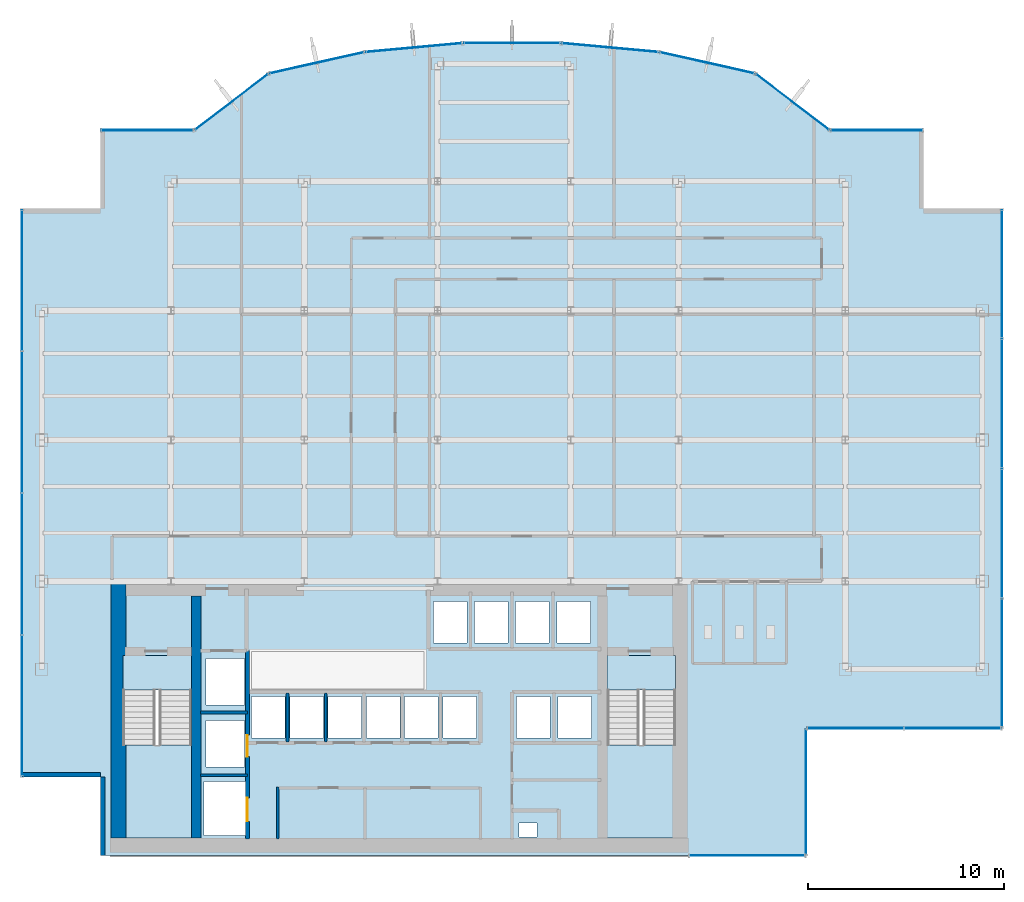
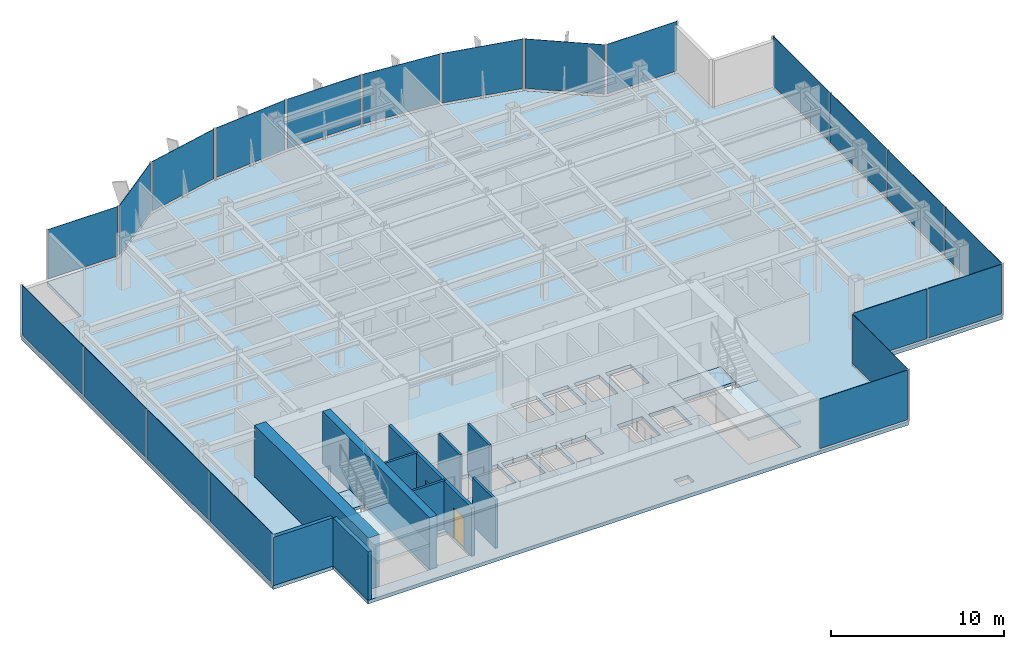
# One storey, part 19 of 25: 21 plates, 10 walls, 5 slabs, 2 doors, 2 openings, 16 elements without a shape of their own.
"""IFC4 building model written with IfcOpenShell, lengths in metres."""

import ifcopenshell
import ifcopenshell.guid

model = None  # the IFC model being written
_history = None  # IfcOwnerHistory: only IFC2X3 demands one
_inside = {}  # id of a spatial element -> (the spatial element, [elements in it])
_under = {}  # id of a project, library or spatial element -> (it, [spatial elements below it])
_declared = {}  # id of a project -> (the project, [libraries it declares])
_typed = {}  # id of a type object -> (the type object, [elements of that type])
_made_of = {}  # id of a material, layer set ... -> (it, [elements and type objects made of it])


def new_model(schema):
    """Start an empty IFC model of exactly this schema.

    Asked for "IFC4X3", IfcOpenShell would pick the latest addendum, in which some entities
    have other attributes; the version numbers below select the first issue.
    IFC2X3 requires an IfcOwnerHistory on every rooted entity: one is made here for all.
    """
    global model, _history
    if schema == "IFC4X3":
        model = ifcopenshell.file(schema_version=(4, 3, 0, 0))
    else:
        model = ifcopenshell.file(schema=schema)
    _inside.clear()
    _under.clear()
    _declared.clear()
    _typed.clear()
    _made_of.clear()
    _history = None
    if model.schema == "IFC2X3":
        org = make("IfcOrganization", Name="unknown")
        user = make(
            "IfcPersonAndOrganization",
            ThePerson=make("IfcPerson", FamilyName="unknown"),
            TheOrganization=org,
        )
        app = make(
            "IfcApplication",
            ApplicationDeveloper=org,
            Version="unknown",
            ApplicationFullName="unknown",
            ApplicationIdentifier="unknown",
        )
        _history = make(
            "IfcOwnerHistory",
            OwningUser=user,
            OwningApplication=app,
            ChangeAction="ADDED",
            CreationDate=0,
        )
    return model


def make(cls, **values):
    """One entity of the class cls with the attributes given. An attribute that is None is left unset."""
    return model.create_entity(
        cls, **{name: value for name, value in values.items() if value is not None}
    )


def rooted(cls, **values):
    """An entity with a GlobalId (a new one), such as an element, a storey or a relation."""
    return make(cls, GlobalId=ifcopenshell.guid.new(), OwnerHistory=_history, **values)


def si_unit(unit_type, name, prefix=None):
    """IfcSIUnit, for example si_unit("LENGTHUNIT", "METRE", prefix="MILLI")."""
    return make("IfcSIUnit", UnitType=unit_type, Prefix=prefix, Name=name)


def derived_unit(unit_type, elements):
    """IfcDerivedUnit: a product of units, each with its exponent."""
    return make(
        "IfcDerivedUnit",
        Elements=[
            make("IfcDerivedUnitElement", Unit=unit, Exponent=power)
            for unit, power in elements
        ],
        UnitType=unit_type,
    )


def assignment(units):
    """IfcUnitAssignment: the units of a project."""
    return None if units is None else make("IfcUnitAssignment", Units=units)


def point(xyz):
    """IfcCartesianPoint."""
    return None if xyz is None else make("IfcCartesianPoint", Coordinates=xyz)


def direction(xyz):
    """IfcDirection."""
    return None if xyz is None else make("IfcDirection", DirectionRatios=xyz)


def frame(location, z_axis=None, x_axis=None):
    """IfcAxis2Placement3D, a coordinate frame: its origin and axes. An axis left out is left unset."""
    return make(
        "IfcAxis2Placement3D",
        Location=point(location),
        Axis=direction(z_axis),
        RefDirection=direction(x_axis),
    )


def frame_2d(location, x_axis=None):
    """IfcAxis2Placement2D, a coordinate frame in the plane: its origin and x axis."""
    return make(
        "IfcAxis2Placement2D", Location=point(location), RefDirection=direction(x_axis)
    )


def origin():
    """The frame at (0, 0, 0) with its axes left unset."""
    return frame((0.0, 0.0, 0.0))


def origin_2d():
    """The frame at (0, 0) in the plane with its x axis left unset."""
    return frame_2d((0.0, 0.0))


def place(relative_to, where):
    """IfcLocalPlacement: puts the frame where relative to a parent placement (None: the world)."""
    return make(
        "IfcLocalPlacement", PlacementRelTo=relative_to, RelativePlacement=where
    )


def context(
    kind, dimensions, precision=None, world=None, true_north=None, identifier=None
):
    """IfcGeometricRepresentationContext, for example the 3D "Model" context."""
    return make(
        "IfcGeometricRepresentationContext",
        ContextIdentifier=identifier,
        ContextType=kind,
        CoordinateSpaceDimension=dimensions,
        Precision=precision,
        WorldCoordinateSystem=world,
        TrueNorth=true_north,
    )


def subcontext(parent, identifier, kind, view, scale=None):
    """IfcGeometricRepresentationSubContext, for example "Body" below "Model"."""
    return make(
        "IfcGeometricRepresentationSubContext",
        ContextIdentifier=identifier,
        ContextType=kind,
        ParentContext=parent,
        TargetScale=scale,
        TargetView=view,
    )


def project(units=None, contexts=None):
    """IfcProject with its units and contexts."""
    return rooted(
        "IfcProject",
        Name="project",
        RepresentationContexts=contexts,
        UnitsInContext=assignment(units),
    )


def spatial(cls, under=None, at=None, **own):
    """A site, building, storey or space (cls), placed at a placement, below another one or the project."""
    s = rooted(cls, ObjectPlacement=at, **own)
    if under is not None:
        _under.setdefault(under.id(), (under, []))[1].append(s)
    return s


def polyline(points):
    """IfcPolyline through the points."""
    return make("IfcPolyline", Points=[point(p) for p in points])


def profile(cls, at=None, kind="AREA", **sizes):
    """A parametric profile (cls). Its sizes go by their IFC names, for example OverallWidth=200.0."""
    return make(cls, ProfileType=kind, Position=at, **sizes)


def rectangle(**sizes):
    """IfcRectangleProfileDef."""
    return profile("IfcRectangleProfileDef", **sizes)


def outline(outer, holes=None, kind="AREA"):
    """IfcArbitraryClosedProfileDef: a profile drawn as a closed curve; with holes, ...WithVoids."""
    if holes is None:
        return make("IfcArbitraryClosedProfileDef", ProfileType=kind, OuterCurve=outer)
    return make(
        "IfcArbitraryProfileDefWithVoids",
        ProfileType=kind,
        OuterCurve=outer,
        InnerCurves=holes,
    )


def extrude(swept, where, along, depth):
    """IfcExtrudedAreaSolid: the profile swept, set in the frame where, extruded along a direction by depth."""
    return make(
        "IfcExtrudedAreaSolid",
        SweptArea=swept,
        Position=where,
        ExtrudedDirection=direction(along),
        Depth=depth,
    )


def shape(context_of_items, identifier, shape_type, items):
    """IfcShapeRepresentation: the items that make up one representation, for example the "Body"."""
    return make(
        "IfcShapeRepresentation",
        ContextOfItems=context_of_items,
        RepresentationIdentifier=identifier,
        RepresentationType=shape_type,
        Items=items,
    )


def source(mapping_origin, context_of_items, identifier, shape_type, items):
    """IfcRepresentationMap: a shape defined once, which mapped items show again and again."""
    return make(
        "IfcRepresentationMap",
        MappingOrigin=mapping_origin,
        MappedRepresentation=shape(context_of_items, identifier, shape_type, items),
    )


def transform(
    local_origin,
    x_axis=None,
    y_axis=None,
    z_axis=None,
    scale=None,
    scale2=None,
    scale3=None,
    uniform=True,
):
    """IfcCartesianTransformationOperator3D, or its non-uniform kind. x_axis, y_axis, z_axis: its Axis1, 2, 3."""
    if uniform:
        return make(
            "IfcCartesianTransformationOperator3D",
            Axis1=direction(x_axis),
            Axis2=direction(y_axis),
            LocalOrigin=point(local_origin),
            Scale=scale,
            Axis3=direction(z_axis),
        )
    return make(
        "IfcCartesianTransformationOperator3DnonUniform",
        Axis1=direction(x_axis),
        Axis2=direction(y_axis),
        LocalOrigin=point(local_origin),
        Scale=scale,
        Axis3=direction(z_axis),
        Scale2=scale2,
        Scale3=scale3,
    )


def mapped(mapping_source, mapping_target):
    """IfcMappedItem: shows the shape of a source again, moved by a transform."""
    return make(
        "IfcMappedItem", MappingSource=mapping_source, MappingTarget=mapping_target
    )


def material(Name=None, Category=None):
    """IfcMaterial."""
    return make("IfcMaterial", Name=Name, Category=Category)


def layer(
    of_material, thickness, ventilated=None, Name=None, Category=None, Priority=None
):
    """IfcMaterialLayer: one layer of a wall or slab, of a material (None: an air gap)."""
    return make(
        "IfcMaterialLayer",
        Material=of_material,
        LayerThickness=thickness,
        IsVentilated=ventilated,
        Name=Name,
        Category=Category,
        Priority=Priority,
    )


def layer_set(layers, Name=None):
    """IfcMaterialLayerSet."""
    return make("IfcMaterialLayerSet", MaterialLayers=layers, LayerSetName=Name)


def made_of(thing, what):
    """Note that an element or type object is made of a material, layer set ...; save() writes the relation."""
    if what is not None:
        _made_of.setdefault(what.id(), (what, []))[1].append(thing)
    return thing


def type_object(cls, material=None, **own):
    """A type object (cls), such as IfcWallType, which elements share."""
    return made_of(rooted(cls, **own), material)


def element(
    cls,
    number,
    at=None,
    inside=None,
    cuts=None,
    type_object=None,
    material=None,
    context=None,
    identifier="Body",
    shape_type=None,
    held_by="IfcProductDefinitionShape",
    body=None,
    shapes=None,
    **own,
):
    """One element of the class cls, such as IfcWall. Its Tag is "e" and its number.

    at: its placement. inside: the storey or other place that contains it. cuts: it is an
    opening in that element (IfcRelVoidsElement). A single representation is given by context,
    identifier, shape_type and body (its items); several are given by shapes. held_by: the class
    of the entity that holds the representations. save() writes the other relations.
    """
    e = rooted(cls, Tag="e%d" % number, ObjectPlacement=at, **own)
    if body is not None:
        shapes = [shape(context, identifier, shape_type, body)]
    if shapes is not None:
        e.Representation = make(held_by, Representations=shapes)
    if inside is not None:
        _inside.setdefault(inside.id(), (inside, []))[1].append(e)
    if cuts is not None:
        rooted(
            "IfcRelVoidsElement", RelatingBuildingElement=cuts, RelatedOpeningElement=e
        )
    if type_object is not None:
        _typed.setdefault(type_object.id(), (type_object, []))[1].append(e)
    return made_of(e, material)


def fill(opening, filler):
    """IfcRelFillsElement: the door or window that sits in an opening."""
    return rooted(
        "IfcRelFillsElement",
        RelatingOpeningElement=opening,
        RelatedBuildingElement=filler,
    )


def aggregate(whole, parts):
    """IfcRelAggregates: a whole, such as a stair, and the parts it consists of."""
    return rooted("IfcRelAggregates", RelatingObject=whole, RelatedObjects=parts)


def save(model, path):
    """Write the relations noted so far, then the file.

    IfcRelAggregates (storeys below a building ...), IfcRelContainedInSpatialStructure (elements
    in a storey), IfcRelDefinesByType, IfcRelAssociatesMaterial and IfcRelDeclares: one each for
    every whole, place, type object, material and project.
    """
    for whole, parts in _under.values():
        aggregate(whole, parts)
    for where, things in _inside.values():
        rooted(
            "IfcRelContainedInSpatialStructure",
            RelatedElements=things,
            RelatingStructure=where,
        )
    for kind, things in _typed.values():
        rooted("IfcRelDefinesByType", RelatedObjects=things, RelatingType=kind)
    for what, things in _made_of.values():
        rooted("IfcRelAssociatesMaterial", RelatedObjects=things, RelatingMaterial=what)
    for by, libraries in _declared.values():
        rooted("IfcRelDeclares", RelatingContext=by, RelatedDefinitions=libraries)
    model.write(path)


model = new_model("IFC4")

# Units and contexts
model_context = context("Model", 3, precision=1e-05, world=origin(), true_north=direction((0.0, 1.0)))
body_context = subcontext(model_context, "Body", "Model", "MODEL_VIEW")
ifc_project = project(units=[si_unit("LENGTHUNIT", "METRE"), si_unit("AREAUNIT", "SQUARE_METRE"), si_unit("VOLUMEUNIT", "CUBIC_METRE"), si_unit("PLANEANGLEUNIT", "RADIAN"), si_unit("MASSUNIT", "GRAM", prefix="KILO"), derived_unit("THERMALTRANSMITTANCEUNIT", [(si_unit("POWERUNIT", "WATT"), 1), (si_unit("LENGTHUNIT", "METRE"), -2), (si_unit("THERMODYNAMICTEMPERATUREUNIT", "KELVIN"), -1)])], contexts=[model_context])

# Site, building, storey
site_placement = place(None, origin())
site = spatial("IfcSite", under=ifc_project, at=site_placement, CompositionType="ELEMENT")
building_placement = place(site_placement, origin())
building = spatial("IfcBuilding", under=site, at=building_placement, Name="Skarnbrae Concourse Arena and Tower", CompositionType="ELEMENT")
storey_placement = place(building_placement, frame((0.0, 0.0, 144.25)))
storey = spatial("IfcBuildingStorey", under=building, at=storey_placement, Name="L36", CompositionType="ELEMENT", Elevation=144.25)

# Stair, slab
ifc_material_1 = material(Name="Concrete 40 MPa (C40/50)", Category="concrete")
stair_type = type_object("IfcStairType", Name="STAIR-DOGLEG-1650", PredefinedType="HALF_TURN_STAIR", material=ifc_material_1)
stair_1_placement = place(storey_placement, origin())
stair_1 = element("IfcStair", 1, at=stair_1_placement, inside=storey, type_object=stair_type, Name="L36 Protected Exit Stair ST-1", PredefinedType="HALF_TURN_STAIR")
ifc_layer_1 = layer(ifc_material_1, 0.199951171875)
ifc_layer_set_1 = layer_set([ifc_layer_1], Name="Concrete 40 MPa (C40/50)")
slab_type_1 = type_object("IfcSlabType", Name="SLAB-LANDING-200", PredefinedType="LANDING", material=ifc_layer_set_1)
slab_1_placement = place(storey_placement, frame((0.0, 0.0, 1.625)))
slab_1 = element("IfcSlab", 2, at=slab_1_placement, type_object=slab_type_1, Name="ST-1 landing 1", PredefinedType="LANDING", context=body_context, shape_type="SweptSolid", body=[
    extrude(outline(polyline([(5.14990234375, 5.64990234375), (5.14990234375, 0.89990234375), (8.64990234375, 0.89990234375), (8.64990234375, 5.64990234375), (5.14990234375, 5.64990234375)])), origin(), (0.0, 0.0, 1.0), 0.199951171875),
])
aggregate(stair_1, [slab_1])

stair_2_placement = place(storey_placement, origin())
stair_2 = element("IfcStair", 3, at=stair_2_placement, inside=storey, type_object=stair_type, Name="L36 Protected Exit Stair ST-2", PredefinedType="HALF_TURN_STAIR")
slab_2_placement = place(storey_placement, frame((0.0, 0.0, 1.625)))
slab_2 = element("IfcSlab", 4, at=slab_2_placement, type_object=slab_type_1, Name="ST-2 landing 1", PredefinedType="LANDING", context=body_context, shape_type="SweptSolid", body=[
    extrude(outline(polyline([(29.85009765625, 5.64990234375), (29.85009765625, 0.89990234375), (33.35009765625, 0.89990234375), (33.35009765625, 5.64990234375), (29.85009765625, 5.64990234375)])), origin(), (0.0, 0.0, 1.0), 0.199951171875),
])
aggregate(stair_2, [slab_2])

# Slabs
slab_3_placement = place(storey_placement, frame((0.0, 0.0, -0.199951171875)))
element("IfcSlab", 5, at=slab_3_placement, inside=storey, type_object=slab_type_1, Name="L36 Core stair ST1 floor landing", PredefinedType="LANDING", context=body_context, shape_type="SweptSolid", body=[
    extrude(outline(polyline([(5.14990234375, 10.199951171875), (5.14990234375, 8.449951171875), (8.64990234375, 8.449951171875), (8.64990234375, 10.199951171875), (5.14990234375, 10.199951171875)])), origin(), (0.0, 0.0, 1.0), 0.199951171875),
])
slab_4_placement = place(storey_placement, frame((0.0, 0.0, -0.199951171875)))
element("IfcSlab", 6, at=slab_4_placement, inside=storey, type_object=slab_type_1, Name="L36 Core stair ST2 floor landing", PredefinedType="LANDING", context=body_context, shape_type="SweptSolid", body=[
    extrude(outline(polyline([(29.85009765625, 10.199951171875), (29.85009765625, 8.449951171875), (33.35009765625, 8.449951171875), (33.35009765625, 10.199951171875), (29.85009765625, 10.199951171875)])), origin(), (0.0, 0.0, 1.0), 0.199951171875),
])
ifc_layer_2 = layer(ifc_material_1, 0.25)
ifc_layer_set_2 = layer_set([ifc_layer_2], Name="Concrete 40 MPa (C40/50)")
slab_type_2 = type_object("IfcSlabType", Name="SLAB-TOWER-250", PredefinedType="FLOOR", material=ifc_layer_set_2)
slab_5_placement = place(storey_placement, frame((0.0, 0.0, -0.25)))
element("IfcSlab", 7, at=slab_5_placement, inside=storey, type_object=slab_type_2, Name="L36 Structural floor slab", PredefinedType="FLOOR", context=body_context, shape_type="SweptSolid", body=[
    extrude(outline(polyline([(4.0, 0.0), (40.0, 0.0), (40.0, 6.5), (50.0, 6.5), (50.0, 33.0), (46.0, 33.0), (46.0, 37.0), (41.199951171875, 37.0), (37.409423828125, 39.892578125), (32.51220703125, 40.98681640625), (27.51123046875, 41.445556640625), (22.48876953125, 41.445556640625), (17.48779296875, 40.98681640625), (12.590576171875, 39.892578125), (8.800048828125, 37.0), (4.0, 37.0), (4.0, 33.0), (0.0, 33.0), (0.0, 4.0), (4.0, 4.0), (4.0, 0.0)]), holes=[polyline([(9.294921875, 3.780029296875), (11.455078125, 3.780029296875), (11.455078125, 1.02001953125), (9.294921875, 1.02001953125), (9.294921875, 3.780029296875)]), polyline([(8.64990234375, 10.199951171875), (8.64990234375, 0.89990234375), (5.14990234375, 0.89990234375), (5.14990234375, 10.199951171875), (8.64990234375, 10.199951171875)]), polyline([(9.39501953125, 6.8798828125), (11.35498046875, 6.8798828125), (11.35498046875, 4.52001953125), (9.39501953125, 4.52001953125), (9.39501953125, 6.8798828125)]), polyline([(11.719970703125, 8.10498046875), (13.429931640625, 8.10498046875), (13.429931640625, 5.9951171875), (11.719970703125, 5.9951171875), (11.719970703125, 8.10498046875)]), polyline([(13.669921875, 8.10498046875), (15.3798828125, 8.10498046875), (15.3798828125, 5.9951171875), (13.669921875, 5.9951171875), (13.669921875, 8.10498046875)]), polyline([(15.6201171875, 8.10498046875), (17.330078125, 8.10498046875), (17.330078125, 5.9951171875), (15.6201171875, 5.9951171875), (15.6201171875, 8.10498046875)]), polyline([(17.570068359375, 8.10498046875), (19.280029296875, 8.10498046875), (19.280029296875, 5.9951171875), (17.570068359375, 5.9951171875), (17.570068359375, 8.10498046875)]), polyline([(21.22998046875, 8.10498046875), (21.22998046875, 5.9951171875), (19.52001953125, 5.9951171875), (19.52001953125, 8.10498046875), (21.22998046875, 8.10498046875)]), polyline([(11.35498046875, 10.054931640625), (11.35498046875, 7.695068359375), (9.39501953125, 7.695068359375), (9.39501953125, 10.054931640625), (11.35498046875, 10.054931640625)]), polyline([(25.35009765625, 1.669921875), (26.280029296875, 1.669921875), (26.280029296875, 0.949951171875), (25.35009765625, 0.949951171875), (25.35009765625, 1.669921875)]), polyline([(33.35009765625, 10.199951171875), (33.35009765625, 0.89990234375), (29.85009765625, 0.89990234375), (29.85009765625, 10.199951171875), (33.35009765625, 10.199951171875)]), polyline([(21.469970703125, 8.10498046875), (23.179931640625, 8.10498046875), (23.179931640625, 5.9951171875), (21.469970703125, 5.9951171875), (21.469970703125, 8.10498046875)]), polyline([(25.235107421875, 8.10498046875), (26.945068359375, 8.10498046875), (26.945068359375, 5.9951171875), (25.235107421875, 5.9951171875), (25.235107421875, 8.10498046875)]), polyline([(27.3349609375, 8.10498046875), (29.044921875, 8.10498046875), (29.044921875, 5.9951171875), (27.3349609375, 5.9951171875), (27.3349609375, 8.10498046875)]), polyline([(20.985107421875, 12.955078125), (22.695068359375, 12.955078125), (22.695068359375, 10.844970703125), (20.985107421875, 10.844970703125), (20.985107421875, 12.955078125)]), polyline([(23.0849609375, 12.955078125), (24.794921875, 12.955078125), (24.794921875, 10.844970703125), (23.0849609375, 10.844970703125), (23.0849609375, 12.955078125)]), polyline([(26.89501953125, 12.955078125), (26.89501953125, 10.844970703125), (25.18505859375, 10.844970703125), (25.18505859375, 12.955078125), (26.89501953125, 12.955078125)]), polyline([(28.9951171875, 12.955078125), (28.9951171875, 10.844970703125), (27.284912109375, 10.844970703125), (27.284912109375, 12.955078125), (28.9951171875, 12.955078125)])]), origin(), (0.0, 0.0, 1.0), 0.25),
])

# Curtain wall, plates
ifc_material_2 = material(Name="Bronze anodised aluminium 6063-T6", Category="aluminium")
curtain_wall_type = type_object("IfcCurtainWallType", Name="CW-SYS-04-MIDZONE", PredefinedType="USERDEFINED", material=ifc_material_2)
curtain_wall_1_placement = place(storey_placement, origin())
curtain_wall_1 = element("IfcCurtainWall", 8, at=curtain_wall_1_placement, inside=storey, type_object=curtain_wall_type, Name="L36 Unitised curtain wall CW-L36-E03", ObjectType="UNITISED CURTAIN WALL", PredefinedType="USERDEFINED")
ifc_material_3 = material(Name="Low-E triple insulating glass", Category="glass")
ifc_layer_3 = layer(ifc_material_3, 0.031982421875)
ifc_layer_set_3 = layer_set([ifc_layer_3], Name="Low-E triple insulating glass")
plate_type = type_object("IfcPlateType", Name="CWP-CW-04", PredefinedType="CURTAIN_PANEL", material=ifc_layer_set_3)
shared_shape_1 = source(origin(), body_context, "Body", "SweptSolid", [
    extrude(rectangle(XDim=4.887451171875, YDim=0.031982421875, at=origin_2d()), origin(), (0.0, 0.0, 1.0), 3.489990234375),
])
plate_1_placement = place(storey_placement, frame((42.518798828125, 6.5, 0.16015625), z_axis=(0.0, 0.0, 1.0), x_axis=(1.0, 0.0, 0.0)))
plate_1 = element("IfcPlate", 9, at=plate_1_placement, type_object=plate_type, Name="CW-L36-E03 Low-E Glazing Panel 1", PredefinedType="CURTAIN_PANEL", context=body_context, shape_type="MappedRepresentation", body=[
    mapped(shared_shape_1, transform((0.0, 0.0, 0.0))),
])
plate_2_placement = place(storey_placement, frame((47.481201171875, 6.5, 0.16015625), z_axis=(0.0, 0.0, 1.0), x_axis=(1.0, 0.0, 0.0)))
plate_2 = element("IfcPlate", 10, at=plate_2_placement, type_object=plate_type, Name="CW-L36-E03 Low-E Glazing Panel 2", PredefinedType="CURTAIN_PANEL", context=body_context, shape_type="MappedRepresentation", body=[
    mapped(shared_shape_1, transform((0.0, 0.0, 0.0))),
])
aggregate(curtain_wall_1, [plate_1, plate_2])

# Curtain wall, plate
curtain_wall_2_placement = place(storey_placement, origin())
curtain_wall_2 = element("IfcCurtainWall", 11, at=curtain_wall_2_placement, inside=storey, type_object=curtain_wall_type, Name="L36 Unitised curtain wall CW-L36-SE-SPINE", ObjectType="UNITISED CURTAIN WALL", PredefinedType="USERDEFINED")
shared_shape_2 = source(origin(), body_context, "Body", "SweptSolid", [
    extrude(rectangle(XDim=5.85009765625, YDim=0.031982421875, at=origin_2d()), origin(), (0.0, 0.0, 1.0), 3.489990234375),
])
plate_3_placement = place(storey_placement, frame((37.0, 0.0, 0.16015625), z_axis=(0.0, 0.0, 1.0), x_axis=(1.0, 0.0, 0.0)))
plate_3 = element("IfcPlate", 12, at=plate_3_placement, type_object=plate_type, Name="CW-L36-SE-SPINE Low-E Glazing Panel 1", PredefinedType="CURTAIN_PANEL", context=body_context, shape_type="MappedRepresentation", body=[
    mapped(shared_shape_2, transform((0.0, 0.0, 0.0))),
])
aggregate(curtain_wall_2, [plate_3])

curtain_wall_3_placement = place(storey_placement, origin())
curtain_wall_3 = element("IfcCurtainWall", 13, at=curtain_wall_3_placement, inside=storey, type_object=curtain_wall_type, Name="L36 Unitised curtain wall CW-L36-E02", ObjectType="UNITISED CURTAIN WALL", PredefinedType="USERDEFINED")
shared_shape_3 = source(origin(), body_context, "Body", "SweptSolid", [
    extrude(rectangle(XDim=6.35009765625, YDim=0.031982421875, at=origin_2d()), origin(), (0.0, 0.0, 1.0), 3.489990234375),
])
plate_4_placement = place(storey_placement, frame((40.0, 3.25, 0.16015625), z_axis=(0.0, 0.0, 1.0), x_axis=(0.0, 1.0, 0.0)))
plate_4 = element("IfcPlate", 14, at=plate_4_placement, type_object=plate_type, Name="CW-L36-E02 Low-E Glazing Panel 1", PredefinedType="CURTAIN_PANEL", context=body_context, shape_type="MappedRepresentation", body=[
    mapped(shared_shape_3, transform((0.0, 0.0, 0.0))),
])
aggregate(curtain_wall_3, [plate_4])

curtain_wall_4_placement = place(storey_placement, origin())
curtain_wall_4 = element("IfcCurtainWall", 15, at=curtain_wall_4_placement, inside=storey, type_object=curtain_wall_type, Name="L36 Unitised curtain wall CW-L36-E07", ObjectType="UNITISED CURTAIN WALL", PredefinedType="USERDEFINED")
shared_shape_4 = source(origin(), body_context, "Body", "SweptSolid", [
    extrude(rectangle(XDim=4.64990234375, YDim=0.031982421875, at=origin_2d()), origin(), (0.0, 0.0, 1.0), 3.489990234375),
])
plate_5_placement = place(storey_placement, frame((43.60009765625, 37.0, 0.16015625), z_axis=(0.0, 0.0, 1.0), x_axis=(-1.0, 0.0, 0.0)))
plate_5 = element("IfcPlate", 16, at=plate_5_placement, type_object=plate_type, Name="CW-L36-E07 Low-E Glazing Panel 1", PredefinedType="CURTAIN_PANEL", context=body_context, shape_type="MappedRepresentation", body=[
    mapped(shared_shape_4, transform((0.0, 0.0, 0.0))),
])
aggregate(curtain_wall_4, [plate_5])

curtain_wall_5_placement = place(storey_placement, origin())
curtain_wall_5 = element("IfcCurtainWall", 17, at=curtain_wall_5_placement, inside=storey, type_object=curtain_wall_type, Name="L36 Unitised curtain wall CW-L36-E15", ObjectType="UNITISED CURTAIN WALL", PredefinedType="USERDEFINED")
plate_6_placement = place(storey_placement, frame((6.39990234375, 37.0, 0.16015625), z_axis=(0.0, 0.0, 1.0), x_axis=(-1.0, 0.0, 0.0)))
plate_6 = element("IfcPlate", 18, at=plate_6_placement, type_object=plate_type, Name="CW-L36-E15 Low-E Glazing Panel 1", PredefinedType="CURTAIN_PANEL", context=body_context, shape_type="MappedRepresentation", body=[
    mapped(shared_shape_4, transform((0.0, 0.0, 0.0))),
])
aggregate(curtain_wall_5, [plate_6])

curtain_wall_6_placement = place(storey_placement, origin())
curtain_wall_6 = element("IfcCurtainWall", 19, at=curtain_wall_6_placement, inside=storey, type_object=curtain_wall_type, Name="L36 Unitised curtain wall CW-L36-E08", ObjectType="UNITISED CURTAIN WALL", PredefinedType="USERDEFINED")
shared_shape_5 = source(origin(), body_context, "Body", "SweptSolid", [
    extrude(rectangle(XDim=4.6181640625, YDim=0.031982421875, at=origin_2d()), origin(), (0.0, 0.0, 1.0), 3.489990234375),
])
plate_7_placement = place(storey_placement, frame((39.3046875, 38.4462890625, 0.16015625), z_axis=(0.0, 0.0, 1.0), x_axis=(-0.794956000706, 0.606667089054, 0.0)))
plate_7 = element("IfcPlate", 20, at=plate_7_placement, type_object=plate_type, Name="CW-L36-E08 Low-E Glazing Panel 1", PredefinedType="CURTAIN_PANEL", context=body_context, shape_type="MappedRepresentation", body=[
    mapped(shared_shape_5, transform((0.0, 0.0, 0.0))),
])
aggregate(curtain_wall_6, [plate_7])

curtain_wall_7_placement = place(storey_placement, origin())
curtain_wall_7 = element("IfcCurtainWall", 21, at=curtain_wall_7_placement, inside=storey, type_object=curtain_wall_type, Name="L36 Unitised curtain wall CW-L36-E14", ObjectType="UNITISED CURTAIN WALL", PredefinedType="USERDEFINED")
plate_8_placement = place(storey_placement, frame((10.6953125, 38.4462890625, 0.16015625), z_axis=(0.0, 0.0, 1.0), x_axis=(-0.794956000706, -0.606667089054, 0.0)))
plate_8 = element("IfcPlate", 22, at=plate_8_placement, type_object=plate_type, Name="CW-L36-E14 Low-E Glazing Panel 1", PredefinedType="CURTAIN_PANEL", context=body_context, shape_type="MappedRepresentation", body=[
    mapped(shared_shape_5, transform((0.0, 0.0, 0.0))),
])
aggregate(curtain_wall_7, [plate_8])

curtain_wall_8_placement = place(storey_placement, origin())
curtain_wall_8 = element("IfcCurtainWall", 23, at=curtain_wall_8_placement, inside=storey, type_object=curtain_wall_type, Name="L36 Unitised curtain wall CW-L36-E09", ObjectType="UNITISED CURTAIN WALL", PredefinedType="USERDEFINED")
shared_shape_6 = source(origin(), body_context, "Body", "SweptSolid", [
    extrude(rectangle(XDim=4.867919921875, YDim=0.031982421875, at=origin_2d()), origin(), (0.0, 0.0, 1.0), 3.489990234375),
])
plate_9_placement = place(storey_placement, frame((34.9609375, 40.439697265625, 0.16015625), z_axis=(0.0, 0.0, 1.0), x_axis=(-0.975936175393, 0.218056372433, 0.0)))
plate_9 = element("IfcPlate", 24, at=plate_9_placement, type_object=plate_type, Name="CW-L36-E09 Low-E Glazing Panel 1", PredefinedType="CURTAIN_PANEL", context=body_context, shape_type="MappedRepresentation", body=[
    mapped(shared_shape_6, transform((0.0, 0.0, 0.0))),
])
aggregate(curtain_wall_8, [plate_9])

curtain_wall_9_placement = place(storey_placement, origin())
curtain_wall_9 = element("IfcCurtainWall", 25, at=curtain_wall_9_placement, inside=storey, type_object=curtain_wall_type, Name="L36 Unitised curtain wall CW-L36-E13", ObjectType="UNITISED CURTAIN WALL", PredefinedType="USERDEFINED")
plate_10_placement = place(storey_placement, frame((15.0390625, 40.439697265625, 0.16015625), z_axis=(0.0, 0.0, 1.0), x_axis=(-0.975936175393, -0.218056372433, 0.0)))
plate_10 = element("IfcPlate", 26, at=plate_10_placement, type_object=plate_type, Name="CW-L36-E13 Low-E Glazing Panel 1", PredefinedType="CURTAIN_PANEL", context=body_context, shape_type="MappedRepresentation", body=[
    mapped(shared_shape_6, transform((0.0, 0.0, 0.0))),
])
aggregate(curtain_wall_9, [plate_10])

curtain_wall_10_placement = place(storey_placement, origin())
curtain_wall_10 = element("IfcCurtainWall", 27, at=curtain_wall_10_placement, inside=storey, type_object=curtain_wall_type, Name="L36 Unitised curtain wall CW-L36-E10", ObjectType="UNITISED CURTAIN WALL", PredefinedType="USERDEFINED")
shared_shape_7 = source(origin(), body_context, "Body", "SweptSolid", [
    extrude(rectangle(XDim=4.8720703125, YDim=0.031982421875, at=origin_2d()), origin(), (0.0, 0.0, 1.0), 3.489990234375),
])
plate_11_placement = place(storey_placement, frame((30.01171875, 41.21630859375, 0.16015625), z_axis=(0.0, 0.0, 1.0), x_axis=(-0.995819926016, 0.091338244731, 0.0)))
plate_11 = element("IfcPlate", 28, at=plate_11_placement, type_object=plate_type, Name="CW-L36-E10 Low-E Glazing Panel 1", PredefinedType="CURTAIN_PANEL", context=body_context, shape_type="MappedRepresentation", body=[
    mapped(shared_shape_7, transform((0.0, 0.0, 0.0))),
])
aggregate(curtain_wall_10, [plate_11])

curtain_wall_11_placement = place(storey_placement, origin())
curtain_wall_11 = element("IfcCurtainWall", 29, at=curtain_wall_11_placement, inside=storey, type_object=curtain_wall_type, Name="L36 Unitised curtain wall CW-L36-E12", ObjectType="UNITISED CURTAIN WALL", PredefinedType="USERDEFINED")
plate_12_placement = place(storey_placement, frame((19.98828125, 41.21630859375, 0.16015625), z_axis=(0.0, 0.0, 1.0), x_axis=(-0.995819926016, -0.091338244731, 0.0)))
plate_12 = element("IfcPlate", 30, at=plate_12_placement, type_object=plate_type, Name="CW-L36-E12 Low-E Glazing Panel 1", PredefinedType="CURTAIN_PANEL", context=body_context, shape_type="MappedRepresentation", body=[
    mapped(shared_shape_7, transform((0.0, 0.0, 0.0))),
])
aggregate(curtain_wall_11, [plate_12])

curtain_wall_12_placement = place(storey_placement, origin())
curtain_wall_12 = element("IfcCurtainWall", 31, at=curtain_wall_12_placement, inside=storey, type_object=curtain_wall_type, Name="L36 Unitised curtain wall CW-L36-E11", ObjectType="UNITISED CURTAIN WALL", PredefinedType="USERDEFINED")
shared_shape_8 = source(origin(), body_context, "Body", "SweptSolid", [
    extrude(rectangle(XDim=4.87255859375, YDim=0.031982421875, at=origin_2d()), origin(), (0.0, 0.0, 1.0), 3.489990234375),
])
plate_13_placement = place(storey_placement, frame((25.0, 41.445556640625, 0.16015625), z_axis=(0.0, 0.0, 1.0), x_axis=(-1.0, 0.0, 0.0)))
plate_13 = element("IfcPlate", 32, at=plate_13_placement, type_object=plate_type, Name="CW-L36-E11 Low-E Glazing Panel 1", PredefinedType="CURTAIN_PANEL", context=body_context, shape_type="MappedRepresentation", body=[
    mapped(shared_shape_8, transform((0.0, 0.0, 0.0))),
])
aggregate(curtain_wall_12, [plate_13])

# Curtain wall, plates
curtain_wall_13_placement = place(storey_placement, origin())
curtain_wall_13 = element("IfcCurtainWall", 33, at=curtain_wall_13_placement, inside=storey, type_object=curtain_wall_type, Name="L36 Unitised curtain wall CW-L36-E18", ObjectType="UNITISED CURTAIN WALL", PredefinedType="USERDEFINED")
shared_shape_9 = source(origin(), body_context, "Body", "SweptSolid", [
    extrude(rectangle(XDim=7.137451171875, YDim=0.031982421875, at=origin_2d()), origin(), (0.0, 0.0, 1.0), 3.489990234375),
])
plate_14_placement = place(storey_placement, frame((0.0, 29.356201171875, 0.16015625), z_axis=(0.0, 0.0, 1.0), x_axis=(0.0, -1.0, 0.0)))
plate_14 = element("IfcPlate", 34, at=plate_14_placement, type_object=plate_type, Name="CW-L36-E18 Low-E Glazing Panel 1", PredefinedType="CURTAIN_PANEL", context=body_context, shape_type="MappedRepresentation", body=[
    mapped(shared_shape_9, transform((0.0, 0.0, 0.0))),
])
plate_15_placement = place(storey_placement, frame((0.0, 7.643798828125, 0.16015625), z_axis=(0.0, 0.0, 1.0), x_axis=(0.0, -1.0, 0.0)))
plate_15 = element("IfcPlate", 35, at=plate_15_placement, type_object=plate_type, Name="CW-L36-E18 Low-E Glazing Panel 4", PredefinedType="CURTAIN_PANEL", context=body_context, shape_type="MappedRepresentation", body=[
    mapped(shared_shape_9, transform((0.0, 0.0, 0.0))),
])
shared_shape_10 = source(origin(), body_context, "Body", "SweptSolid", [
    extrude(rectangle(XDim=7.175048828125, YDim=0.031982421875, at=origin_2d()), origin(), (0.0, 0.0, 1.0), 3.489990234375),
])
plate_16_placement = place(storey_placement, frame((0.0, 22.125, 0.16015625), z_axis=(0.0, 0.0, 1.0), x_axis=(0.0, -1.0, 0.0)))
plate_16 = element("IfcPlate", 36, at=plate_16_placement, type_object=plate_type, Name="CW-L36-E18 Low-E Glazing Panel 2", PredefinedType="CURTAIN_PANEL", context=body_context, shape_type="MappedRepresentation", body=[
    mapped(shared_shape_10, transform((0.0, 0.0, 0.0))),
])
plate_17_placement = place(storey_placement, frame((0.0, 14.875, 0.16015625), z_axis=(0.0, 0.0, 1.0), x_axis=(0.0, -1.0, 0.0)))
plate_17 = element("IfcPlate", 37, at=plate_17_placement, type_object=plate_type, Name="CW-L36-E18 Low-E Glazing Panel 3", PredefinedType="CURTAIN_PANEL", context=body_context, shape_type="MappedRepresentation", body=[
    mapped(shared_shape_10, transform((0.0, 0.0, 0.0))),
])
aggregate(curtain_wall_13, [plate_14, plate_16, plate_17, plate_15])

curtain_wall_14_placement = place(storey_placement, origin())
curtain_wall_14 = element("IfcCurtainWall", 38, at=curtain_wall_14_placement, inside=storey, type_object=curtain_wall_type, Name="L36 Unitised curtain wall CW-L36-E04", ObjectType="UNITISED CURTAIN WALL", PredefinedType="USERDEFINED")
shared_shape_11 = source(origin(), body_context, "Body", "SweptSolid", [
    extrude(rectangle(XDim=6.512451171875, YDim=0.031982421875, at=origin_2d()), origin(), (0.0, 0.0, 1.0), 3.489990234375),
])
plate_18_placement = place(storey_placement, frame((50.0, 9.831298828125, 0.16015625), z_axis=(0.0, 0.0, 1.0), x_axis=(0.0, 1.0, 0.0)))
plate_18 = element("IfcPlate", 39, at=plate_18_placement, type_object=plate_type, Name="CW-L36-E04 Low-E Glazing Panel 1", PredefinedType="CURTAIN_PANEL", context=body_context, shape_type="MappedRepresentation", body=[
    mapped(shared_shape_11, transform((0.0, 0.0, 0.0))),
])
plate_19_placement = place(storey_placement, frame((50.0, 29.668701171875, 0.16015625), z_axis=(0.0, 0.0, 1.0), x_axis=(0.0, 1.0, 0.0)))
plate_19 = element("IfcPlate", 40, at=plate_19_placement, type_object=plate_type, Name="CW-L36-E04 Low-E Glazing Panel 4", PredefinedType="CURTAIN_PANEL", context=body_context, shape_type="MappedRepresentation", body=[
    mapped(shared_shape_11, transform((0.0, 0.0, 0.0))),
])
shared_shape_12 = source(origin(), body_context, "Body", "SweptSolid", [
    extrude(rectangle(XDim=6.550048828125, YDim=0.031982421875, at=origin_2d()), origin(), (0.0, 0.0, 1.0), 3.489990234375),
])
plate_20_placement = place(storey_placement, frame((50.0, 16.4375, 0.16015625), z_axis=(0.0, 0.0, 1.0), x_axis=(0.0, 1.0, 0.0)))
plate_20 = element("IfcPlate", 41, at=plate_20_placement, type_object=plate_type, Name="CW-L36-E04 Low-E Glazing Panel 2", PredefinedType="CURTAIN_PANEL", context=body_context, shape_type="MappedRepresentation", body=[
    mapped(shared_shape_12, transform((0.0, 0.0, 0.0))),
])
plate_21_placement = place(storey_placement, frame((50.0, 23.0625, 0.16015625), z_axis=(0.0, 0.0, 1.0), x_axis=(0.0, 1.0, 0.0)))
plate_21 = element("IfcPlate", 42, at=plate_21_placement, type_object=plate_type, Name="CW-L36-E04 Low-E Glazing Panel 3", PredefinedType="CURTAIN_PANEL", context=body_context, shape_type="MappedRepresentation", body=[
    mapped(shared_shape_12, transform((0.0, 0.0, 0.0))),
])
aggregate(curtain_wall_14, [plate_18, plate_20, plate_21, plate_19])

# Walls
ifc_material_4 = material(Name="Concrete 60 MPa (C60/75)", Category="concrete")
ifc_layer_4 = layer(ifc_material_4, 0.75)
ifc_layer_set_4 = layer_set([ifc_layer_4], Name="Concrete 60 MPa (C60/75)")
wall_type_1 = type_object("IfcWallType", Name="WALL-CORE-750-C60", PredefinedType="SHEAR", material=ifc_layer_set_4)
shared_shape_13 = source(origin(), body_context, "Body", "SweptSolid", [
    extrude(rectangle(XDim=13.10009765625, YDim=0.75, at=frame_2d((6.550048828125, 0.0))), origin(), (0.0, 0.0, 1.0), 3.64990234375),
])
wall_1_placement = place(storey_placement, frame((4.925048828125, 0.89990234375, 0.0), z_axis=(0.0, 0.0, 1.0), x_axis=(0.0, 1.0, 0.0)))
element("IfcWall", 43, at=wall_1_placement, inside=storey, type_object=wall_type_1, Name="L36 Rear core shear wall CW-W", PredefinedType="SHEAR", context=body_context, shape_type="MappedRepresentation", body=[
    mapped(shared_shape_13, transform((0.0, 0.0, 0.0))),
])
ifc_layer_5 = layer(ifc_material_4, 0.5)
ifc_layer_set_5 = layer_set([ifc_layer_5], Name="Concrete 60 MPa (C60/75)")
wall_type_2 = type_object("IfcWallType", Name="WALL-CORE-500-C60", PredefinedType="SHEAR", material=ifc_layer_set_5)
shared_shape_14 = source(origin(), body_context, "Body", "SweptSolid", [
    extrude(rectangle(XDim=12.35009765625, YDim=0.5, at=frame_2d((6.175048828125, 0.0))), origin(), (0.0, 0.0, 1.0), 3.64990234375),
])
wall_2_placement = place(storey_placement, frame((8.889892578125, 0.89990234375, 0.0), z_axis=(0.0, 0.0, 1.0), x_axis=(0.0, 1.0, 0.0)))
element("IfcWall", 44, at=wall_2_placement, inside=storey, type_object=wall_type_2, Name="L36 Rear core shear wall CW-WEB-W", PredefinedType="SHEAR", context=body_context, shape_type="MappedRepresentation", body=[
    mapped(shared_shape_14, transform((0.0, 0.0, 0.0))),
])
ifc_material_5 = material(Name="Precast concrete 40 MPa (C40/50)", Category="concrete")
ifc_layer_6 = layer(ifc_material_5, 0.25)
ifc_layer_set_6 = layer_set([ifc_layer_6], Name="Precast concrete 40 MPa (C40/50)")
wall_type_3 = type_object("IfcWallType", Name="WALL-EXT-SPANDREL-250", PredefinedType="STANDARD", material=ifc_layer_set_6)
shared_shape_15 = source(origin(), body_context, "Body", "SweptSolid", [
    extrude(rectangle(XDim=4.0, YDim=0.25, at=frame_2d((2.0, 0.0))), origin(), (0.0, 0.0, 1.0), 3.39990234375),
])
for number, where, z_axis, x_axis, name in (
    (45, (0.0, 4.125, 0.0), (0.0, 0.0, 1.0), (1.0, 0.0, 0.0), "L36 Notched corner insulated return wall 19"),
    (46, (4.125, 4.0, 0.0), (0.0, 0.0, 1.0), (0.0, -1.0, 0.0), "L36 Notched corner insulated return wall 20"),
):
    element("IfcWall", number, at=place(storey_placement, frame(where, z_axis=z_axis, x_axis=x_axis)), inside=storey, type_object=wall_type_3, Name=name, PredefinedType="STANDARD", context=body_context, shape_type="MappedRepresentation", body=[
        mapped(shared_shape_15, transform((0.0, 0.0, 0.0))),
    ])

# Wall, openings, doors
ifc_material_6 = material(Name="Gypsum board on cold-formed steel studs", Category="steel")
ifc_layer_7 = layer(ifc_material_6, 0.199951171875)
ifc_layer_set_7 = layer_set([ifc_layer_7], Name="Gypsum board on cold-formed steel studs")
wall_type_4 = type_object("IfcWallType", Name="WALL-PART-200-2HR", PredefinedType="PARTITIONING", material=ifc_layer_set_7)
shared_shape_16 = source(origin(), body_context, "Body", "SweptSolid", [
    extrude(rectangle(XDim=9.599853515625, YDim=0.199951171875, at=frame_2d((4.7998046875, 0.0))), origin(), (0.0, 0.0, 1.0), 3.39990234375),
])
wall_3_placement = place(storey_placement, frame((11.5, 0.85009765625, 0.0), z_axis=(0.0, 0.0, 1.0), x_axis=(0.0, 1.0, 0.0)))
wall_3 = element("IfcWall", 47, at=wall_3_placement, inside=storey, type_object=wall_type_4, Name="L36 Interior partition wall W-L36-FL-E", PredefinedType="PARTITIONING", context=body_context, shape_type="MappedRepresentation", body=[
    mapped(shared_shape_16, transform((0.0, 0.0, 0.0))),
])
opening_1_placement = place(wall_3_placement, frame((4.199951171875, 0.0, 0.0)))
opening_1 = element("IfcOpeningElement", 48, at=opening_1_placement, cuts=wall_3, Name="Opening LD-01", PredefinedType="OPENING", context=body_context, shape_type="SweptSolid", body=[
    extrude(rectangle(XDim=1.10009765625, YDim=2.14990234375, at=frame_2d((0.550048828125, 1.074951171875))), frame((0.0, 0.10986328125, 0.0), z_axis=(0.0, -1.0, 0.0), x_axis=(1.0, 0.0, 0.0)), (0.0, 0.0, 1.0), 0.219970703125),
])
opening_2_placement = place(wall_3_placement, frame((0.89990234375, 0.0, 0.0)))
opening_2 = element("IfcOpeningElement", 49, at=opening_2_placement, cuts=wall_3, Name="Opening LD-02", PredefinedType="OPENING", context=body_context, shape_type="SweptSolid", body=[
    extrude(rectangle(XDim=1.199951171875, YDim=2.14990234375, at=frame_2d((0.60009765625, 1.074951171875))), frame((0.0, 0.10986328125, 0.0), z_axis=(0.0, -1.0, 0.0), x_axis=(1.0, 0.0, 0.0)), (0.0, 0.0, 1.0), 0.219970703125),
])
ifc_material_7 = material(Name="Steel CSA G40.21 350W", Category="steel")
door_type_1 = type_object("IfcDoorType", Name="DOOR-LIFT-SLIDE-1100", OperationType="SLIDING_TO_LEFT", PredefinedType="DOOR", material=ifc_material_7)
shared_shape_17 = source(origin(), body_context, "Body", "SweptSolid", [
    extrude(rectangle(XDim=1.10009765625, YDim=2.14990234375, at=frame_2d((0.550048828125, 1.074951171875))), frame((0.0, 0.02490234375, 0.0), z_axis=(0.0, -1.0, 0.0), x_axis=(1.0, 0.0, 0.0)), (0.0, 0.0, 1.0), 0.050048828125),
])
door_1_placement = place(opening_1_placement, frame((1.10009765625, 0.0, 0.0), z_axis=(0.0, 0.0, 1.0), x_axis=(-1.0, 0.0, 0.0)))
door_1 = element("IfcDoor", 50, at=door_1_placement, inside=storey, type_object=door_type_1, Name="D-1127 Firefighting Lift Landing Door FL-02", OperationType="SLIDING_TO_LEFT", OverallHeight=2.14990234375, OverallWidth=1.10009765625, PredefinedType="DOOR", context=body_context, shape_type="MappedRepresentation", body=[
    mapped(shared_shape_17, transform((0.0, 0.0, 0.0))),
])
fill(opening_1, door_1)
door_type_2 = type_object("IfcDoorType", Name="DOOR-LIFT-SLIDE-1200", OperationType="SLIDING_TO_LEFT", PredefinedType="DOOR", material=ifc_material_7)
shared_shape_18 = source(origin(), body_context, "Body", "SweptSolid", [
    extrude(rectangle(XDim=1.199951171875, YDim=2.14990234375, at=frame_2d((0.60009765625, 1.074951171875))), frame((0.0, 0.02490234375, 0.0), z_axis=(0.0, -1.0, 0.0), x_axis=(1.0, 0.0, 0.0)), (0.0, 0.0, 1.0), 0.050048828125),
])
door_2_placement = place(opening_2_placement, frame((1.199951171875, 0.0, 0.0), z_axis=(0.0, 0.0, 1.0), x_axis=(-1.0, 0.0, 0.0)))
door_2 = element("IfcDoor", 51, at=door_2_placement, inside=storey, type_object=door_type_2, Name="D-1128 Service Lift Landing Door SV-01", OperationType="SLIDING_TO_LEFT", OverallHeight=2.14990234375, OverallWidth=1.199951171875, PredefinedType="DOOR", context=body_context, shape_type="MappedRepresentation", body=[
    mapped(shared_shape_18, transform((0.0, 0.0, 0.0))),
])
fill(opening_2, door_2)

# Walls
ifc_layer_8 = layer(ifc_material_6, 0.14990234375)
ifc_layer_set_8 = layer_set([ifc_layer_8], Name="Gypsum board on cold-formed steel studs")
wall_type_5 = type_object("IfcWallType", Name="WALL-PART-150", PredefinedType="PARTITIONING", material=ifc_layer_set_8)
shared_shape_19 = source(origin(), body_context, "Body", "SweptSolid", [
    extrude(rectangle(XDim=2.39990234375, YDim=0.14990234375, at=frame_2d((1.199951171875, 0.0))), origin(), (0.0, 0.0, 1.0), 3.39990234375),
])
for number, where, z_axis, x_axis, name in (
    (52, (9.10009765625, 4.10009765625, 0.0), (0.0, 0.0, 1.0), (1.0, 0.0, 0.0), "L36 Interior partition wall W-L36-FL-D1"),
    (53, (9.10009765625, 7.300048828125, 0.0), (0.0, 0.0, 1.0), (1.0, 0.0, 0.0), "L36 Interior partition wall W-L36-FL-D2"),
):
    element("IfcWall", number, at=place(storey_placement, frame(where, z_axis=z_axis, x_axis=x_axis)), inside=storey, type_object=wall_type_5, Name=name, PredefinedType="PARTITIONING", context=body_context, shape_type="MappedRepresentation", body=[
        mapped(shared_shape_19, transform((0.0, 0.0, 0.0))),
    ])
shared_shape_20 = source(origin(), body_context, "Body", "SweptSolid", [
    extrude(rectangle(XDim=2.5, YDim=0.14990234375, at=frame_2d((1.25, 0.0))), origin(), (0.0, 0.0, 1.0), 3.39990234375),
])
for number, where, z_axis, x_axis, name in (
    (54, (13.550048828125, 5.800048828125, 0.0), (0.0, 0.0, 1.0), (0.0, 1.0, 0.0), "L36 Interior partition wall W-L36-B2-P1"),
    (55, (15.5, 5.800048828125, 0.0), (0.0, 0.0, 1.0), (0.0, 1.0, 0.0), "L36 Interior partition wall W-L36-B2-P2"),
):
    element("IfcWall", number, at=place(storey_placement, frame(where, z_axis=z_axis, x_axis=x_axis)), inside=storey, type_object=wall_type_5, Name=name, PredefinedType="PARTITIONING", context=body_context, shape_type="MappedRepresentation", body=[
        mapped(shared_shape_20, transform((0.0, 0.0, 0.0))),
    ])
ifc_layer_9 = layer(ifc_material_6, 0.14990234375)
ifc_layer_set_9 = layer_set([ifc_layer_9], Name="Gypsum board on cold-formed steel studs")
wall_type_6 = type_object("IfcWallType", Name="WALL-PART-150-1HR", PredefinedType="PARTITIONING", material=ifc_layer_set_9)
shared_shape_21 = source(origin(), body_context, "Body", "SweptSolid", [
    extrude(rectangle(XDim=2.64990234375, YDim=0.14990234375, at=frame_2d((1.324951171875, 0.0))), origin(), (0.0, 0.0, 1.0), 3.39990234375),
])
wall_4_placement = place(storey_placement, frame((13.050048828125, 0.85009765625, 0.0), z_axis=(0.0, 0.0, 1.0), x_axis=(0.0, 1.0, 0.0)))
element("IfcWall", 56, at=wall_4_placement, inside=storey, type_object=wall_type_6, Name="L36 Interior partition wall W-L36-B1M-W", PredefinedType="PARTITIONING", context=body_context, shape_type="MappedRepresentation", body=[
    mapped(shared_shape_21, transform((0.0, 0.0, 0.0))),
])

save(model, "model.ifc")
